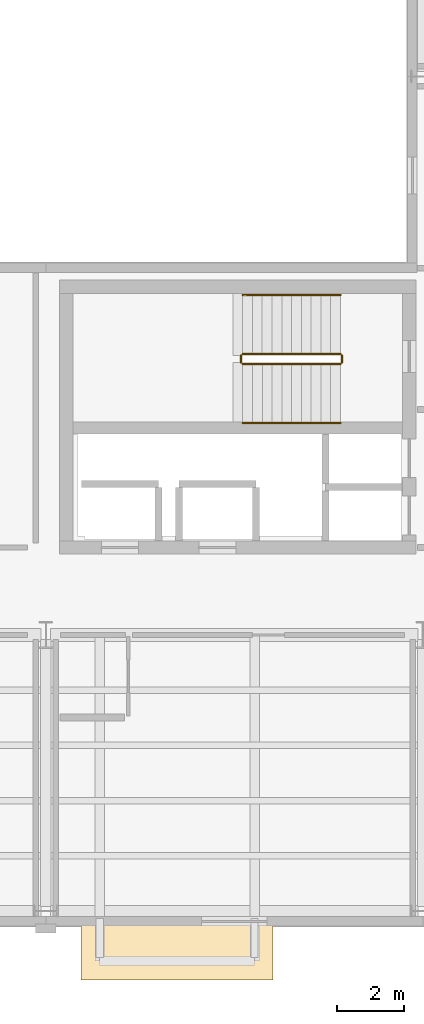
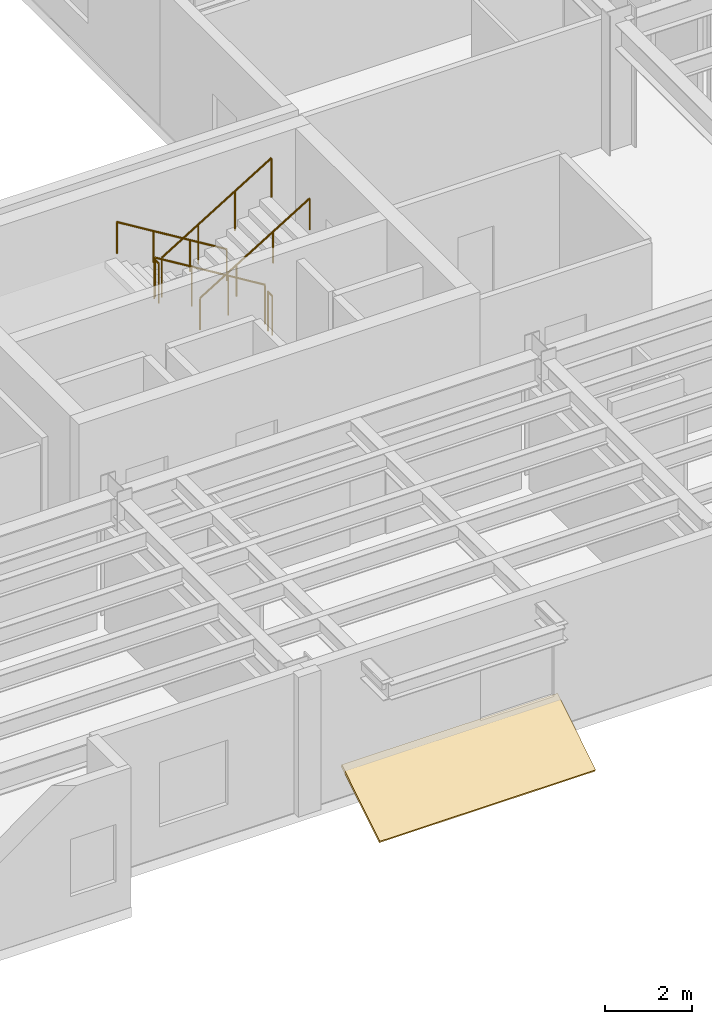
# One storey, part 45 of 46: 6 railings, 1 covering.
"""IFC4 building model written with IfcOpenShell, lengths in metres."""

from ifc_helpers import new_model, si_unit, direction, frame, origin, origin_2d, place, context, subcontext, project, spatial, polyline, circle, outline, extrude, material, layer, layer_set, type_object, element, save


model = new_model("IFC4")

# Units and contexts
model_context = context("Model", 3, precision=1e-05, world=origin(), true_north=direction((0.0, 1.0)))
body_context = subcontext(model_context, "Body", "Model", "MODEL_VIEW")
ifc_project = project(units=[si_unit("LENGTHUNIT", "METRE"), si_unit("AREAUNIT", "SQUARE_METRE"), si_unit("VOLUMEUNIT", "CUBIC_METRE"), si_unit("PLANEANGLEUNIT", "RADIAN"), si_unit("MASSUNIT", "GRAM", prefix="KILO")], contexts=[model_context])

# Site, building, storey
site_placement = place(None, origin())
site = spatial("IfcSite", under=ifc_project, at=site_placement, CompositionType="ELEMENT")
building_placement = place(site_placement, origin())
building = spatial("IfcBuilding", under=site, at=building_placement, Name="Sollismere Congress Hotel", CompositionType="ELEMENT")
storey_placement = place(building_placement, frame((0.0, 0.0, 19.5)))
storey = spatial("IfcBuildingStorey", under=building, at=storey_placement, Name="L04", CompositionType="ELEMENT", Elevation=19.5)

# Covering
ifc_material_1 = material(Name="Standing-Seam Titanium-Zinc Roof Assembly")
ifc_layer = layer(ifc_material_1, 0.054931640625, Name="Standing-Seam Titanium-Zinc Roof Assembly")
ifc_layer_set = layer_set([ifc_layer], Name="Standing-Seam Titanium-Zinc Roof Assembly")
covering_type = type_object("IfcCoveringType", Name="CV-RFZNC", PredefinedType="ROOFING", material=ifc_layer_set)
covering_placement = place(storey_placement, frame((137.050048828125, -2.008056640625, -0.363037109375), z_axis=(0.0, -0.525123792841, 0.851025852834), x_axis=(1.0, 0.0, 0.0)))
element("IfcCovering", 1, at=covering_placement, inside=storey, type_object=covering_type, Name="Cikma bay sacak hood SL-CKH-05", PredefinedType="ROOFING", context=body_context, shape_type="SweptSolid", body=[
    extrude(outline(polyline([(0.0, 0.0), (5.699951171875, 0.0), (5.699951171875, 2.056396484375), (0.0, 2.056396484375), (0.0, 0.0)])), origin(), (0.0, 0.0, 1.0), 0.080078125),
])

# Railings
ifc_material_2 = material(Name="Steel ASTM A500 Grade C", Category="steel")
railing_type_1 = type_object("IfcRailingType", Name="RL-GRD112", PredefinedType="GUARDRAIL", material=ifc_material_2)
railing_1_placement = place(storey_placement, frame((144.75, 16.550048828125, 0.17724609375)))
element("IfcRailing", 2, at=railing_1_placement, inside=storey, type_object=railing_type_1, Name="RLG-RG-ST-01-L04-1", PredefinedType="GUARDRAIL", context=body_context, shape_type="SweptSolid", body=[
    extrude(circle(Radius=0.02392578125, at=origin_2d()), frame((0.0, 0.0, 1.09619140625), z_axis=(-0.853210801645, 0.0, 0.521566225858), x_axis=(0.0, -1.0, 0.0)), (0.0, 0.0, 1.0), 3.39892578125),
    extrude(circle(Radius=0.02099609375, at=origin_2d()), origin(), (0.0, 0.0, 1.0), 1.072021484375),
    extrude(circle(Radius=0.02099609375, at=origin_2d()), frame((-0.966552734375, 0.0, 0.5908203125)), (0.0, 0.0, 1.0), 1.072021484375),
    extrude(circle(Radius=0.02099609375, at=origin_2d()), frame((-1.933349609375, 0.0, 1.181884765625)), (0.0, 0.0, 1.0), 1.072021484375),
    extrude(circle(Radius=0.02099609375, at=origin_2d()), frame((-2.89990234375, 0.0, 1.772705078125)), (0.0, 0.0, 1.0), 1.072021484375),
])
railing_2_placement = place(storey_placement, frame((141.800048828125, 16.5, 1.949951171875)))
element("IfcRailing", 3, at=railing_2_placement, inside=storey, type_object=railing_type_1, Name="RLG-RG-ST-01-L04-2", PredefinedType="GUARDRAIL", context=body_context, shape_type="SweptSolid", body=[
    extrude(circle(Radius=0.02392578125, at=origin_2d()), frame((0.0, 0.0, 1.09619140625), z_axis=(0.0, -1.0, 0.0), x_axis=(1.0, 0.0, 0.0)), (0.0, 0.0, 1.0), 0.199951171875),
    extrude(circle(Radius=0.02099609375, at=origin_2d()), origin(), (0.0, 0.0, 1.0), 1.072021484375),
    extrude(circle(Radius=0.02099609375, at=origin_2d()), frame((0.0, -0.199951171875, 0.0)), (0.0, 0.0, 1.0), 1.072021484375),
])
railing_3_placement = place(storey_placement, frame((141.85009765625, 16.25, 2.127197265625)))
element("IfcRailing", 4, at=railing_3_placement, inside=storey, type_object=railing_type_1, Name="RLG-RG-ST-01-L04-3", PredefinedType="GUARDRAIL", context=body_context, shape_type="SweptSolid", body=[
    extrude(circle(Radius=0.02392578125, at=origin_2d()), frame((0.0, 0.0, 1.09619140625), z_axis=(0.853210801645, 0.0, 0.521566225858), x_axis=(0.0, 1.0, 0.0)), (0.0, 0.0, 1.0), 3.39892578125),
    extrude(circle(Radius=0.02099609375, at=origin_2d()), origin(), (0.0, 0.0, 1.0), 1.072021484375),
    extrude(circle(Radius=0.02099609375, at=origin_2d()), frame((0.966552734375, 0.0, 0.5908203125)), (0.0, 0.0, 1.0), 1.072021484375),
    extrude(circle(Radius=0.02099609375, at=origin_2d()), frame((1.933349609375, 0.0, 1.181884765625)), (0.0, 0.0, 1.0), 1.072021484375),
    extrude(circle(Radius=0.02099609375, at=origin_2d()), frame((2.89990234375, 0.0, 1.772705078125)), (0.0, 0.0, 1.0), 1.072021484375),
])
railing_4_placement = place(storey_placement, frame((144.800048828125, 16.5, 0.0)))
element("IfcRailing", 5, at=railing_4_placement, inside=storey, type_object=railing_type_1, Name="RLG-RG-ST-01-L04-4", PredefinedType="GUARDRAIL", context=body_context, shape_type="SweptSolid", body=[
    extrude(circle(Radius=0.02392578125, at=origin_2d()), frame((0.0, 0.0, 1.09619140625), z_axis=(0.0, -1.0, 0.0), x_axis=(1.0, 0.0, 0.0)), (0.0, 0.0, 1.0), 0.199951171875),
    extrude(circle(Radius=0.02099609375, at=origin_2d()), origin(), (0.0, 0.0, 1.0), 1.072021484375),
    extrude(circle(Radius=0.02099609375, at=origin_2d()), frame((0.0, -0.199951171875, 0.0)), (0.0, 0.0, 1.0), 1.072021484375),
])
ifc_material_3 = material(Name="Brushed Architectural Bronze")
railing_type_2 = type_object("IfcRailingType", Name="RL-HND90", PredefinedType="HANDRAIL", material=ifc_material_3)
railing_5_placement = place(storey_placement, frame((144.75, 18.300048828125, 0.33056640625)))
element("IfcRailing", 6, at=railing_5_placement, inside=storey, type_object=railing_type_2, Name="RLG-RH-ST-01-L04-1", PredefinedType="HANDRAIL", context=body_context, shape_type="SweptSolid", body=[
    extrude(circle(Radius=0.02392578125, at=origin_2d()), frame((0.0, 0.0, 0.8759765625), z_axis=(-0.853210801645, 0.0, 0.521566225858), x_axis=(0.0, -1.0, 0.0)), (0.0, 0.0, 1.0), 3.39892578125),
    extrude(circle(Radius=0.02099609375, at=origin_2d()), origin(), (0.0, 0.0, 1.0), 0.851806640625),
    extrude(circle(Radius=0.02099609375, at=origin_2d()), frame((-0.966552734375, 0.0, 0.5908203125)), (0.0, 0.0, 1.0), 0.851806640625),
    extrude(circle(Radius=0.02099609375, at=origin_2d()), frame((-1.933349609375, 0.0, 1.181884765625)), (0.0, 0.0, 1.0), 0.851806640625),
    extrude(circle(Radius=0.02099609375, at=origin_2d()), frame((-2.89990234375, 0.0, 1.772705078125)), (0.0, 0.0, 1.0), 0.851806640625),
])
railing_6_placement = place(storey_placement, frame((141.85009765625, 14.5, 2.280517578125)))
element("IfcRailing", 7, at=railing_6_placement, inside=storey, type_object=railing_type_2, Name="RLG-RH-ST-01-L04-2", PredefinedType="HANDRAIL", context=body_context, shape_type="SweptSolid", body=[
    extrude(circle(Radius=0.02392578125, at=origin_2d()), frame((0.0, 0.0, 0.8759765625), z_axis=(0.853210801645, 0.0, 0.521566225858), x_axis=(0.0, 1.0, 0.0)), (0.0, 0.0, 1.0), 3.39892578125),
    extrude(circle(Radius=0.02099609375, at=origin_2d()), origin(), (0.0, 0.0, 1.0), 0.851806640625),
    extrude(circle(Radius=0.02099609375, at=origin_2d()), frame((0.966552734375, 0.0, 0.5908203125)), (0.0, 0.0, 1.0), 0.851806640625),
    extrude(circle(Radius=0.02099609375, at=origin_2d()), frame((1.933349609375, 0.0, 1.181884765625)), (0.0, 0.0, 1.0), 0.851806640625),
    extrude(circle(Radius=0.02099609375, at=origin_2d()), frame((2.89990234375, 0.0, 1.772705078125)), (0.0, 0.0, 1.0), 0.851806640625),
])

save(model, "model.ifc")
